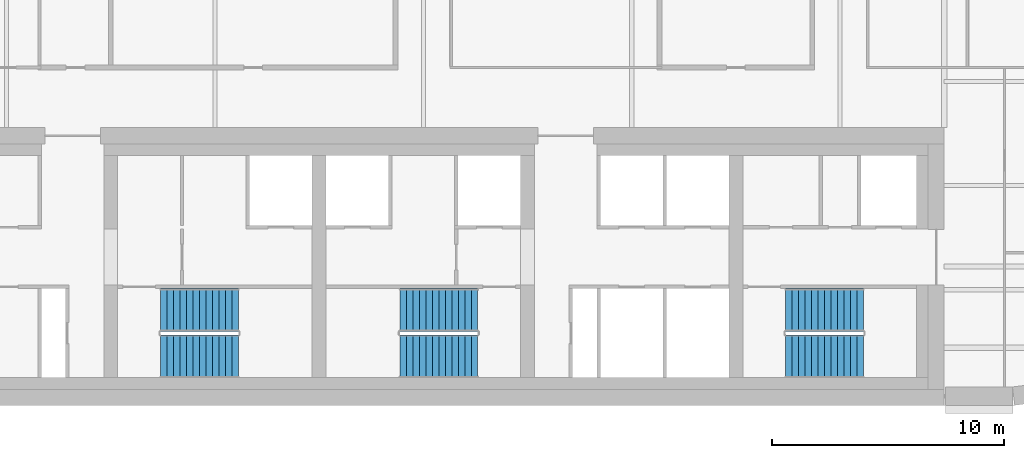
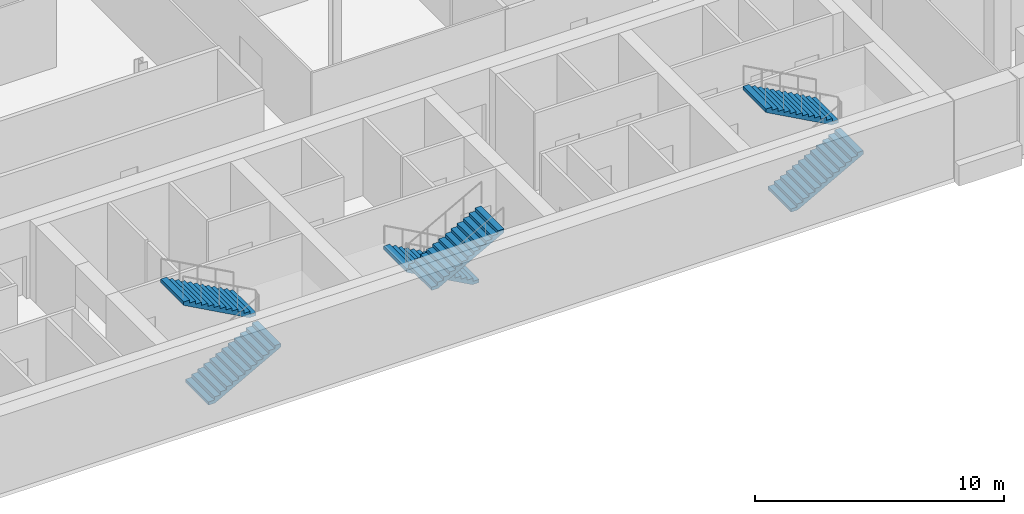
# One storey, part 13 of 17: 6 stair flights, 3 elements without a shape of their own.
"""IFC4 building model written with IfcOpenShell, lengths in metres."""

from ifc_helpers import new_model, si_unit, direction, frame, origin, place, context, subcontext, project, spatial, polyline, outline, extrude, material, type_object, element, aggregate, save


model = new_model("IFC4")

# Units and contexts
model_context = context("Model", 3, precision=1e-05, world=origin(), true_north=direction((0.0, 1.0)))
body_context = subcontext(model_context, "Body", "Model", "MODEL_VIEW")
ifc_project = project(units=[si_unit("LENGTHUNIT", "METRE"), si_unit("AREAUNIT", "SQUARE_METRE"), si_unit("VOLUMEUNIT", "CUBIC_METRE"), si_unit("PLANEANGLEUNIT", "RADIAN"), si_unit("MASSUNIT", "GRAM", prefix="KILO")], contexts=[model_context])

# Site, building, storey
site_placement = place(None, origin())
site = spatial("IfcSite", under=ifc_project, at=site_placement, CompositionType="ELEMENT")
building_placement = place(site_placement, origin())
building = spatial("IfcBuilding", under=site, at=building_placement, Name="Zellij Exchange Tower", CompositionType="ELEMENT")
storey_placement = place(building_placement, frame((0.0, 0.0, 224.5)))
storey = spatial("IfcBuildingStorey", under=building, at=storey_placement, Name="L52", CompositionType="ELEMENT", Elevation=224.5)

# Stair, stair flights
ifc_material = material(Name="Concrete C40/50", Category="concrete")
stair_type = type_object("IfcStairType", Name="CORE-ST exit stair 1850 wide", PredefinedType="HALF_TURN_STAIR", material=ifc_material)
stair_1_placement = place(storey_placement, origin())
stair_1 = element("IfcStair", 1, at=stair_1_placement, inside=storey, type_object=stair_type, Name="L52 exit stair ST2", PredefinedType="HALF_TURN_STAIR")
stair_flight_type = type_object("IfcStairFlightType", Name="CORE-SF flight 1850 riser 153.8 going 280", PredefinedType="STRAIGHT", material=ifc_material)
stair_flight_1_placement = place(storey_placement, frame((-6.85009765625, -11.875, 0.0), z_axis=(0.0, 0.0, 1.0), x_axis=(1.0, 0.0, 0.0)))
stair_flight_1 = element("IfcStairFlight", 2, at=stair_flight_1_placement, type_object=stair_flight_type, Name="ST2 flight 1", NumberOfRisers=13, NumberOfTreads=12, PredefinedType="STRAIGHT", RiserHeight=0.153846154, TreadLength=0.28, context=body_context, shape_type="SweptSolid", body=[
    extrude(outline(polyline([(0.0, 0.0), (0.0, 0.15380859375), (0.280029296875, 0.15380859375), (0.280029296875, 0.3076171875), (0.56005859375, 0.3076171875), (0.56005859375, 0.46142578125), (0.840087890625, 0.46142578125), (0.840087890625, 0.615478515625), (1.1201171875, 0.615478515625), (1.1201171875, 0.769287109375), (1.39990234375, 0.769287109375), (1.39990234375, 0.923095703125), (1.679931640625, 0.923095703125), (1.679931640625, 1.076904296875), (1.9599609375, 1.076904296875), (1.9599609375, 1.230712890625), (2.239990234375, 1.230712890625), (2.239990234375, 1.384521484375), (2.52001953125, 1.384521484375), (2.52001953125, 1.53857421875), (2.800048828125, 1.53857421875), (2.800048828125, 1.6923828125), (3.080078125, 1.6923828125), (3.080078125, 1.84619140625), (3.360107421875, 1.84619140625), (3.360107421875, 2.0), (3.360107421875, 1.675048828125), (0.311279296875, 0.0), (0.0, 0.0)])), frame((0.0, 0.925048828125, 0.0), z_axis=(0.0, -1.0, 0.0), x_axis=(1.0, 0.0, 0.0)), (0.0, 0.0, 1.0), 1.85009765625),
])
stair_flight_2_placement = place(storey_placement, frame((-3.489990234375, -9.875, 2.0), z_axis=(0.0, 0.0, 1.0), x_axis=(-1.0, 0.0, 0.0)))
stair_flight_2 = element("IfcStairFlight", 3, at=stair_flight_2_placement, type_object=stair_flight_type, Name="ST2 flight 2", NumberOfRisers=13, NumberOfTreads=12, PredefinedType="STRAIGHT", RiserHeight=0.153846154, TreadLength=0.28, context=body_context, shape_type="SweptSolid", body=[
    extrude(outline(polyline([(0.0, 0.0), (0.0, 0.15380859375), (0.280029296875, 0.15380859375), (0.280029296875, 0.3076171875), (0.56005859375, 0.3076171875), (0.56005859375, 0.46142578125), (0.840087890625, 0.46142578125), (0.840087890625, 0.615478515625), (1.1201171875, 0.615478515625), (1.1201171875, 0.769287109375), (1.39990234375, 0.769287109375), (1.39990234375, 0.923095703125), (1.679931640625, 0.923095703125), (1.679931640625, 1.076904296875), (1.9599609375, 1.076904296875), (1.9599609375, 1.230712890625), (2.239990234375, 1.230712890625), (2.239990234375, 1.384521484375), (2.52001953125, 1.384521484375), (2.52001953125, 1.53857421875), (2.800048828125, 1.53857421875), (2.800048828125, 1.6923828125), (3.080078125, 1.6923828125), (3.080078125, 1.84619140625), (3.360107421875, 1.84619140625), (3.360107421875, 2.0), (3.360107421875, 1.675048828125), (0.311279296875, 0.0), (0.0, 0.0)])), frame((0.0, 0.925048828125, 0.0), z_axis=(0.0, -1.0, 0.0), x_axis=(1.0, 0.0, 0.0)), (0.0, 0.0, 1.0), 1.85009765625),
])
aggregate(stair_1, [stair_flight_1, stair_flight_2])

stair_2_placement = place(storey_placement, origin())
stair_2 = element("IfcStair", 4, at=stair_2_placement, inside=storey, type_object=stair_type, Name="L52 exit stair ST3", PredefinedType="HALF_TURN_STAIR")
stair_flight_3_placement = place(storey_placement, frame((6.85009765625, -9.875, 0.0), z_axis=(0.0, 0.0, 1.0), x_axis=(-1.0, 0.0, 0.0)))
stair_flight_3 = element("IfcStairFlight", 5, at=stair_flight_3_placement, type_object=stair_flight_type, Name="ST3 flight 1", NumberOfRisers=13, NumberOfTreads=12, PredefinedType="STRAIGHT", RiserHeight=0.153846154, TreadLength=0.28, context=body_context, shape_type="SweptSolid", body=[
    extrude(outline(polyline([(0.0, 0.0), (0.0, 0.15380859375), (0.280029296875, 0.15380859375), (0.280029296875, 0.3076171875), (0.56005859375, 0.3076171875), (0.56005859375, 0.46142578125), (0.840087890625, 0.46142578125), (0.840087890625, 0.615478515625), (1.1201171875, 0.615478515625), (1.1201171875, 0.769287109375), (1.39990234375, 0.769287109375), (1.39990234375, 0.923095703125), (1.679931640625, 0.923095703125), (1.679931640625, 1.076904296875), (1.9599609375, 1.076904296875), (1.9599609375, 1.230712890625), (2.239990234375, 1.230712890625), (2.239990234375, 1.384521484375), (2.52001953125, 1.384521484375), (2.52001953125, 1.53857421875), (2.800048828125, 1.53857421875), (2.800048828125, 1.6923828125), (3.080078125, 1.6923828125), (3.080078125, 1.84619140625), (3.360107421875, 1.84619140625), (3.360107421875, 2.0), (3.360107421875, 1.675048828125), (0.311279296875, 0.0), (0.0, 0.0)])), frame((0.0, 0.925048828125, 0.0), z_axis=(0.0, -1.0, 0.0), x_axis=(1.0, 0.0, 0.0)), (0.0, 0.0, 1.0), 1.85009765625),
])
stair_flight_4_placement = place(storey_placement, frame((3.489990234375, -11.875, 2.0), z_axis=(0.0, 0.0, 1.0), x_axis=(1.0, 0.0, 0.0)))
stair_flight_4 = element("IfcStairFlight", 6, at=stair_flight_4_placement, type_object=stair_flight_type, Name="ST3 flight 2", NumberOfRisers=13, NumberOfTreads=12, PredefinedType="STRAIGHT", RiserHeight=0.153846154, TreadLength=0.28, context=body_context, shape_type="SweptSolid", body=[
    extrude(outline(polyline([(0.0, 0.0), (0.0, 0.15380859375), (0.280029296875, 0.15380859375), (0.280029296875, 0.3076171875), (0.56005859375, 0.3076171875), (0.56005859375, 0.46142578125), (0.840087890625, 0.46142578125), (0.840087890625, 0.615478515625), (1.1201171875, 0.615478515625), (1.1201171875, 0.769287109375), (1.39990234375, 0.769287109375), (1.39990234375, 0.923095703125), (1.679931640625, 0.923095703125), (1.679931640625, 1.076904296875), (1.9599609375, 1.076904296875), (1.9599609375, 1.230712890625), (2.239990234375, 1.230712890625), (2.239990234375, 1.384521484375), (2.52001953125, 1.384521484375), (2.52001953125, 1.53857421875), (2.800048828125, 1.53857421875), (2.800048828125, 1.6923828125), (3.080078125, 1.6923828125), (3.080078125, 1.84619140625), (3.360107421875, 1.84619140625), (3.360107421875, 2.0), (3.360107421875, 1.675048828125), (0.311279296875, 0.0), (0.0, 0.0)])), frame((0.0, 0.925048828125, 0.0), z_axis=(0.0, -1.0, 0.0), x_axis=(1.0, 0.0, 0.0)), (0.0, 0.0, 1.0), 1.85009765625),
])
aggregate(stair_2, [stair_flight_3, stair_flight_4])

stair_3_placement = place(storey_placement, origin())
stair_3 = element("IfcStair", 7, at=stair_3_placement, inside=storey, type_object=stair_type, Name="L52 exit stair ST4", PredefinedType="HALF_TURN_STAIR")
stair_flight_5_placement = place(storey_placement, frame((20.14990234375, -11.875, 0.0), z_axis=(0.0, 0.0, 1.0), x_axis=(1.0, 0.0, 0.0)))
stair_flight_5 = element("IfcStairFlight", 8, at=stair_flight_5_placement, type_object=stair_flight_type, Name="ST4 flight 1", NumberOfRisers=13, NumberOfTreads=12, PredefinedType="STRAIGHT", RiserHeight=0.153846154, TreadLength=0.28, context=body_context, shape_type="SweptSolid", body=[
    extrude(outline(polyline([(0.0, 0.0), (0.0, 0.15380859375), (0.280029296875, 0.15380859375), (0.280029296875, 0.3076171875), (0.56005859375, 0.3076171875), (0.56005859375, 0.46142578125), (0.840087890625, 0.46142578125), (0.840087890625, 0.615478515625), (1.1201171875, 0.615478515625), (1.1201171875, 0.769287109375), (1.39990234375, 0.769287109375), (1.39990234375, 0.923095703125), (1.679931640625, 0.923095703125), (1.679931640625, 1.076904296875), (1.9599609375, 1.076904296875), (1.9599609375, 1.230712890625), (2.239990234375, 1.230712890625), (2.239990234375, 1.384521484375), (2.52001953125, 1.384521484375), (2.52001953125, 1.53857421875), (2.800048828125, 1.53857421875), (2.800048828125, 1.6923828125), (3.080078125, 1.6923828125), (3.080078125, 1.84619140625), (3.360107421875, 1.84619140625), (3.360107421875, 2.0), (3.360107421875, 1.675048828125), (0.311279296875, 0.0), (0.0, 0.0)])), frame((0.0, 0.925048828125, 0.0), z_axis=(0.0, -1.0, 0.0), x_axis=(1.0, 0.0, 0.0)), (0.0, 0.0, 1.0), 1.85009765625),
])
stair_flight_6_placement = place(storey_placement, frame((23.510009765625, -9.875, 2.0), z_axis=(0.0, 0.0, 1.0), x_axis=(-1.0, 0.0, 0.0)))
stair_flight_6 = element("IfcStairFlight", 9, at=stair_flight_6_placement, type_object=stair_flight_type, Name="ST4 flight 2", NumberOfRisers=13, NumberOfTreads=12, PredefinedType="STRAIGHT", RiserHeight=0.153846154, TreadLength=0.28, context=body_context, shape_type="SweptSolid", body=[
    extrude(outline(polyline([(0.0, 0.0), (0.0, 0.15380859375), (0.280029296875, 0.15380859375), (0.280029296875, 0.3076171875), (0.56005859375, 0.3076171875), (0.56005859375, 0.46142578125), (0.840087890625, 0.46142578125), (0.840087890625, 0.615478515625), (1.1201171875, 0.615478515625), (1.1201171875, 0.769287109375), (1.39990234375, 0.769287109375), (1.39990234375, 0.923095703125), (1.679931640625, 0.923095703125), (1.679931640625, 1.076904296875), (1.9599609375, 1.076904296875), (1.9599609375, 1.230712890625), (2.239990234375, 1.230712890625), (2.239990234375, 1.384521484375), (2.52001953125, 1.384521484375), (2.52001953125, 1.53857421875), (2.800048828125, 1.53857421875), (2.800048828125, 1.6923828125), (3.080078125, 1.6923828125), (3.080078125, 1.84619140625), (3.360107421875, 1.84619140625), (3.360107421875, 2.0), (3.360107421875, 1.675048828125), (0.311279296875, 0.0), (0.0, 0.0)])), frame((0.0, 0.925048828125, 0.0), z_axis=(0.0, -1.0, 0.0), x_axis=(1.0, 0.0, 0.0)), (0.0, 0.0, 1.0), 1.85009765625),
])
aggregate(stair_3, [stair_flight_5, stair_flight_6])

save(model, "model.ifc")
